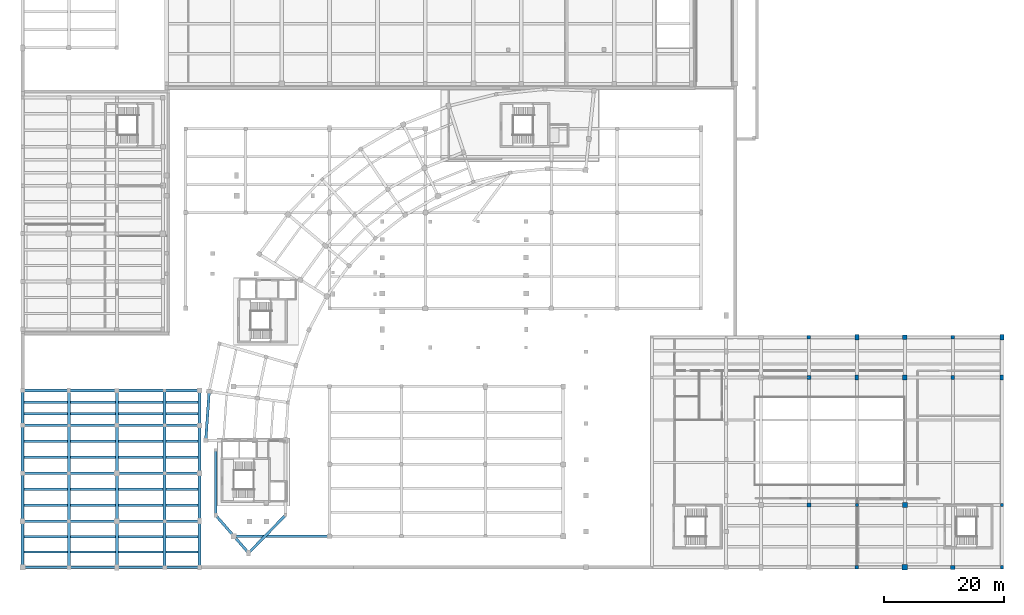
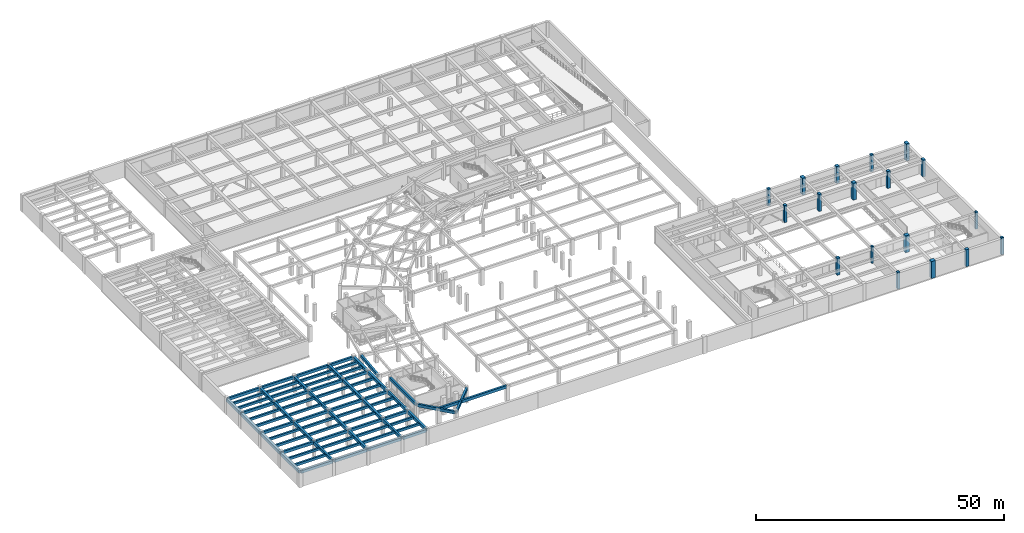
# One storey, part 3 of 35: 77 beams, 18 columns.
"""IFC4 building model written with IfcOpenShell, lengths in metres."""

from ifc_helpers import new_model, si_unit, direction, frame, origin, origin_2d, place, context, subcontext, project, spatial, rectangle, extrude, material, material_profile, profile_set, type_object, element, save


model = new_model("IFC4")

# Units and contexts
model_context = context("Model", 3, precision=1e-05, world=origin(), true_north=direction((0.0, 1.0)))
body_context = subcontext(model_context, "Body", "Model", "MODEL_VIEW")
ifc_project = project(units=[si_unit("LENGTHUNIT", "METRE"), si_unit("AREAUNIT", "SQUARE_METRE"), si_unit("VOLUMEUNIT", "CUBIC_METRE"), si_unit("PLANEANGLEUNIT", "RADIAN"), si_unit("MASSUNIT", "GRAM", prefix="KILO"), si_unit("THERMODYNAMICTEMPERATUREUNIT", "KELVIN"), si_unit("POWERUNIT", "WATT")], contexts=[model_context])

# Site, building, storey
site_placement = place(None, origin())
site = spatial("IfcSite", under=ifc_project, at=site_placement, CompositionType="ELEMENT")
building_placement = place(site_placement, origin())
building = spatial("IfcBuilding", under=site, at=building_placement, Name="Solvatero Civic Police Headquarters", CompositionType="ELEMENT")
storey_placement = place(building_placement, frame((0.0, 0.0, -4.199951171875)))
storey = spatial("IfcBuildingStorey", under=building, at=storey_placement, Name="B01", CompositionType="ELEMENT", Elevation=-4.199951171875)

# Columns
ifc_material = material(Name="Concrete C40/50", Category="concrete")
ifc_material_profile_1 = material_profile(ifc_material, rectangle(XDim=0.5, YDim=0.5, at=origin_2d()), Name="RC 500x500")
ifc_profile_set_1 = profile_set([ifc_material_profile_1], Name="Concrete C40/50")
column_type_1 = type_object("IfcColumnType", Name="COL-RC-500", PredefinedType="COLUMN", material=ifc_profile_set_1)
for number, where, z_axis, x_axis, name in (
    (1, (144.0, 15.199951171875, 0.0), (0.0, 0.0, 1.0), (1.0, 0.0, 0.0), "Column V3-X3Y2 B01"),
    (2, (168.199951171875, 15.199951171875, 0.0), (0.0, 0.0, 1.0), (1.0, 0.0, 0.0), "Column V3-X6Y2 B01"),
):
    element("IfcColumn", number, at=place(storey_placement, frame(where, z_axis=z_axis, x_axis=x_axis)), inside=storey, type_object=column_type_1, Name=name, PredefinedType="COLUMN", context=body_context, shape_type="SweptSolid", body=[
        extrude(rectangle(XDim=0.5, YDim=0.5, at=origin_2d()), origin(), (0.0, 0.0, 1.0), 4.199951171875),
    ])
ifc_material_profile_2 = material_profile(ifc_material, rectangle(XDim=0.550048828125, YDim=0.550048828125, at=origin_2d()), Name="RC 550x550")
ifc_profile_set_2 = profile_set([ifc_material_profile_2], Name="Concrete C40/50")
column_type_2 = type_object("IfcColumnType", Name="COL-RC-550", PredefinedType="COLUMN", material=ifc_profile_set_2)
for number, where, z_axis, x_axis, name in (
    (3, (144.0, 4.800048828125, 0.0), (0.0, 0.0, 1.0), (1.0, 0.0, 0.0), "Column V3-X3Y1 B01"),
    (4, (168.199951171875, 4.800048828125, 0.0), (0.0, 0.0, 1.0), (1.0, 0.0, 0.0), "Column V3-X6Y1 B01"),
):
    element("IfcColumn", number, at=place(storey_placement, frame(where, z_axis=z_axis, x_axis=x_axis)), inside=storey, type_object=column_type_2, Name=name, PredefinedType="COLUMN", context=body_context, shape_type="SweptSolid", body=[
        extrude(rectangle(XDim=0.550048828125, YDim=0.550048828125, at=origin_2d()), origin(), (0.0, 0.0, 1.0), 4.199951171875),
    ])
ifc_material_profile_3 = material_profile(ifc_material, rectangle(XDim=0.60009765625, YDim=0.60009765625, at=origin_2d()), Name="RC 600x600")
ifc_profile_set_3 = profile_set([ifc_material_profile_3], Name="Concrete C40/50")
column_type_3 = type_object("IfcColumnType", Name="COL-RC-600", PredefinedType="COLUMN", material=ifc_profile_set_3)
for number, where, z_axis, x_axis, name in (
    (5, (136.0, 43.199951171875, 0.0), (0.0, 0.0, 1.0), (1.0, 0.0, 0.0), "Column V3-X2Y4 B01"),
    (6, (160.0, 43.199951171875, 0.0), (0.0, 0.0, 1.0), (1.0, 0.0, 0.0), "Column V3-X5Y4 B01"),
):
    element("IfcColumn", number, at=place(storey_placement, frame(where, z_axis=z_axis, x_axis=x_axis)), inside=storey, type_object=column_type_3, Name=name, PredefinedType="COLUMN", context=body_context, shape_type="SweptSolid", body=[
        extrude(rectangle(XDim=0.60009765625, YDim=0.60009765625, at=origin_2d()), origin(), (0.0, 0.0, 1.0), 4.199951171875),
    ])
ifc_material_profile_4 = material_profile(ifc_material, rectangle(XDim=0.60009765625, YDim=0.800048828125, at=origin_2d()), Name="RC 600x800")
ifc_profile_set_4 = profile_set([ifc_material_profile_4], Name="Concrete C40/50")
column_type_4 = type_object("IfcColumnType", Name="COL-RC-600x800", PredefinedType="COLUMN", material=ifc_profile_set_4)
for number, where, z_axis, x_axis, name in (
    (7, (144.0, 36.5, 0.0), (0.0, 0.0, 1.0), (1.0, 0.0, 0.0), "Column V3-X3Y3 B01"),
    (8, (168.199951171875, 36.5, 0.0), (0.0, 0.0, 1.0), (1.0, 0.0, 0.0), "Column V3-X6Y3 B01"),
):
    element("IfcColumn", number, at=place(storey_placement, frame(where, z_axis=z_axis, x_axis=x_axis)), inside=storey, type_object=column_type_4, Name=name, PredefinedType="COLUMN", context=body_context, shape_type="SweptSolid", body=[
        extrude(rectangle(XDim=0.60009765625, YDim=0.800048828125, at=origin_2d()), origin(), (0.0, 0.0, 1.0), 4.199951171875),
    ])
ifc_material_profile_5 = material_profile(ifc_material, rectangle(XDim=0.64990234375, YDim=0.64990234375, at=origin_2d()), Name="RC 650x650")
ifc_profile_set_5 = profile_set([ifc_material_profile_5], Name="Concrete C40/50")
column_type_5 = type_object("IfcColumnType", Name="COL-RC-650", PredefinedType="COLUMN", material=ifc_profile_set_5)
for number, where, z_axis, x_axis, name in (
    (9, (136.0, 36.5, 0.0), (0.0, 0.0, 1.0), (1.0, 0.0, 0.0), "Column V3-X2Y3 B01"),
    (10, (160.0, 36.5, 0.0), (0.0, 0.0, 1.0), (1.0, 0.0, 0.0), "Column V3-X5Y3 B01"),
):
    element("IfcColumn", number, at=place(storey_placement, frame(where, z_axis=z_axis, x_axis=x_axis)), inside=storey, type_object=column_type_5, Name=name, PredefinedType="COLUMN", context=body_context, shape_type="SweptSolid", body=[
        extrude(rectangle(XDim=0.64990234375, YDim=0.64990234375, at=origin_2d()), origin(), (0.0, 0.0, 1.0), 4.199951171875),
    ])
ifc_material_profile_6 = material_profile(ifc_material, rectangle(XDim=0.699951171875, YDim=0.699951171875, at=origin_2d()), Name="RC 700x700")
ifc_profile_set_6 = profile_set([ifc_material_profile_6], Name="Concrete C40/50")
column_type_6 = type_object("IfcColumnType", Name="COL-RC-700", PredefinedType="COLUMN", material=ifc_profile_set_6)
for number, where, z_axis, x_axis, name in (
    (11, (136.0, 15.199951171875, 0.0), (0.0, 0.0, 1.0), (1.0, 0.0, 0.0), "Column V3-X2Y2 B01"),
    (12, (160.0, 4.800048828125, 0.0), (0.0, 0.0, 1.0), (1.0, 0.0, 0.0), "Column V3-X5Y1 B01"),
):
    element("IfcColumn", number, at=place(storey_placement, frame(where, z_axis=z_axis, x_axis=x_axis)), inside=storey, type_object=column_type_6, Name=name, PredefinedType="COLUMN", context=body_context, shape_type="SweptSolid", body=[
        extrude(rectangle(XDim=0.699951171875, YDim=0.699951171875, at=origin_2d()), origin(), (0.0, 0.0, 1.0), 4.199951171875),
    ])
ifc_material_profile_7 = material_profile(ifc_material, rectangle(XDim=0.699951171875, YDim=1.0, at=origin_2d()), Name="RC 700x1000")
ifc_profile_set_7 = profile_set([ifc_material_profile_7], Name="Concrete C40/50")
column_type_7 = type_object("IfcColumnType", Name="COL-RC-700x1000", PredefinedType="COLUMN", material=ifc_profile_set_7)
for number, where, z_axis, x_axis, name in (
    (13, (144.0, 43.199951171875, 0.0), (0.0, 0.0, 1.0), (1.0, 0.0, 0.0), "Column V3-X3Y4 B01"),
    (14, (168.199951171875, 43.199951171875, 0.0), (0.0, 0.0, 1.0), (1.0, 0.0, 0.0), "Column V3-X6Y4 B01"),
):
    element("IfcColumn", number, at=place(storey_placement, frame(where, z_axis=z_axis, x_axis=x_axis)), inside=storey, type_object=column_type_7, Name=name, PredefinedType="COLUMN", context=body_context, shape_type="SweptSolid", body=[
        extrude(rectangle(XDim=0.699951171875, YDim=1.0, at=origin_2d()), origin(), (0.0, 0.0, 1.0), 4.199951171875),
    ])
ifc_material_profile_8 = material_profile(ifc_material, rectangle(XDim=0.75, YDim=0.75, at=origin_2d()), Name="RC 750x750")
ifc_profile_set_8 = profile_set([ifc_material_profile_8], Name="Concrete C40/50")
column_type_8 = type_object("IfcColumnType", Name="COL-RC-750", PredefinedType="COLUMN", material=ifc_profile_set_8)
column_1_placement = place(storey_placement, frame((152.0, 43.199951171875, 0.0), z_axis=(0.0, 0.0, 1.0), x_axis=(1.0, 0.0, 0.0)))
element("IfcColumn", 15, at=column_1_placement, inside=storey, type_object=column_type_8, Name="Column V3-X4Y4 B01", PredefinedType="COLUMN", context=body_context, shape_type="SweptSolid", body=[
    extrude(rectangle(XDim=0.75, YDim=0.75, at=origin_2d()), origin(), (0.0, 0.0, 1.0), 4.199951171875),
])
ifc_material_profile_9 = material_profile(ifc_material, rectangle(XDim=0.800048828125, YDim=0.800048828125, at=origin_2d()), Name="RC 800x800")
ifc_profile_set_9 = profile_set([ifc_material_profile_9], Name="Concrete C40/50")
column_type_9 = type_object("IfcColumnType", Name="COL-RC-800", PredefinedType="COLUMN", material=ifc_profile_set_9)
column_2_placement = place(storey_placement, frame((152.0, 36.5, 0.0), z_axis=(0.0, 0.0, 1.0), x_axis=(1.0, 0.0, 0.0)))
element("IfcColumn", 16, at=column_2_placement, inside=storey, type_object=column_type_9, Name="Column V3-X4Y3 B01", PredefinedType="COLUMN", context=body_context, shape_type="SweptSolid", body=[
    extrude(rectangle(XDim=0.800048828125, YDim=0.800048828125, at=origin_2d()), origin(), (0.0, 0.0, 1.0), 4.199951171875),
])
ifc_material_profile_10 = material_profile(ifc_material, rectangle(XDim=0.85009765625, YDim=0.85009765625, at=origin_2d()), Name="RC 850x850")
ifc_profile_set_10 = profile_set([ifc_material_profile_10], Name="Concrete C40/50")
column_type_10 = type_object("IfcColumnType", Name="COL-RC-850", PredefinedType="COLUMN", material=ifc_profile_set_10)
column_3_placement = place(storey_placement, frame((152.0, 15.199951171875, 0.0), z_axis=(0.0, 0.0, 1.0), x_axis=(1.0, 0.0, 0.0)))
element("IfcColumn", 17, at=column_3_placement, inside=storey, type_object=column_type_10, Name="Column V3-X4Y2 B01", PredefinedType="COLUMN", context=body_context, shape_type="SweptSolid", body=[
    extrude(rectangle(XDim=0.85009765625, YDim=0.85009765625, at=origin_2d()), origin(), (0.0, 0.0, 1.0), 4.199951171875),
])
ifc_material_profile_11 = material_profile(ifc_material, rectangle(XDim=0.89990234375, YDim=0.89990234375, at=origin_2d()), Name="RC 900x900")
ifc_profile_set_11 = profile_set([ifc_material_profile_11], Name="Concrete C40/50")
column_type_11 = type_object("IfcColumnType", Name="COL-RC-900", PredefinedType="COLUMN", material=ifc_profile_set_11)
column_4_placement = place(storey_placement, frame((152.0, 4.800048828125, 0.0), z_axis=(0.0, 0.0, 1.0), x_axis=(1.0, 0.0, 0.0)))
element("IfcColumn", 18, at=column_4_placement, inside=storey, type_object=column_type_11, Name="Column V3-X4Y1 B01", PredefinedType="COLUMN", context=body_context, shape_type="SweptSolid", body=[
    extrude(rectangle(XDim=0.89990234375, YDim=0.89990234375, at=origin_2d()), origin(), (0.0, 0.0, 1.0), 4.199951171875),
])

# Beams
ifc_material_profile_12 = material_profile(ifc_material, rectangle(XDim=0.39990234375, YDim=0.60009765625, at=origin_2d()), Name="RC 400x600")
ifc_profile_set_12 = profile_set([ifc_material_profile_12], Name="Concrete C40/50")
beam_type_1 = type_object("IfcBeamType", Name="BM-RC-400x600", PredefinedType="BEAM", material=ifc_profile_set_12)
for number, where, z_axis, x_axis, name in (
    (19, (5.050048828125, 7.36669921875, 3.599853515625), (1.0, 0.0, 0.0), (0.0, 1.0, 0.0), "Primary girder BM-R2-B01-V4B-SEC-1-1-S1"),
    (20, (5.050048828125, 9.933349609375, 3.599853515625), (1.0, 0.0, 0.0), (0.0, 1.0, 0.0), "Primary girder BM-R2-B01-V4B-SEC-1-1-S2"),
    (21, (5.050048828125, 15.166748046875, 3.599853515625), (1.0, 0.0, 0.0), (0.0, 1.0, 0.0), "Primary girder BM-R2-B01-V4B-SEC-1-2-S1"),
    (22, (5.050048828125, 17.833251953125, 3.599853515625), (1.0, 0.0, 0.0), (0.0, 1.0, 0.0), "Primary girder BM-R2-B01-V4B-SEC-1-2-S2"),
    (23, (5.050048828125, 23.166748046875, 3.599853515625), (1.0, 0.0, 0.0), (0.0, 1.0, 0.0), "Primary girder BM-R2-B01-V4B-SEC-1-3-S1"),
    (24, (5.050048828125, 25.833251953125, 3.599853515625), (1.0, 0.0, 0.0), (0.0, 1.0, 0.0), "Primary girder BM-R2-B01-V4B-SEC-1-3-S2"),
    (25, (5.050048828125, 30.433349609375, 3.599853515625), (1.0, 0.0, 0.0), (0.0, 1.0, 0.0), "Primary girder BM-R2-B01-V4B-SEC-1-4-S1"),
    (26, (5.050048828125, 32.36669921875, 3.599853515625), (1.0, 0.0, 0.0), (0.0, 1.0, 0.0), "Primary girder BM-R2-B01-V4B-SEC-1-4-S2"),
):
    element("IfcBeam", number, at=place(storey_placement, frame(where, z_axis=z_axis, x_axis=x_axis)), inside=storey, type_object=beam_type_1, Name=name, PredefinedType="BEAM", context=body_context, shape_type="SweptSolid", body=[
        extrude(rectangle(XDim=0.39990234375, YDim=0.60009765625, at=origin_2d()), origin(), (0.0, 0.0, 1.0), 7.199951171875),
    ])
for number, where, z_axis, x_axis, name in (
    (27, (12.75, 7.36669921875, 3.599853515625), (1.0, 0.0, 0.0), (0.0, 1.0, 0.0), "Primary girder BM-R2-B01-V4B-SEC-2-1-S1"),
    (28, (12.75, 9.933349609375, 3.599853515625), (1.0, 0.0, 0.0), (0.0, 1.0, 0.0), "Primary girder BM-R2-B01-V4B-SEC-2-1-S2"),
    (29, (12.75, 15.166748046875, 3.599853515625), (1.0, 0.0, 0.0), (0.0, 1.0, 0.0), "Primary girder BM-R2-B01-V4B-SEC-2-2-S1"),
    (30, (12.75, 17.833251953125, 3.599853515625), (1.0, 0.0, 0.0), (0.0, 1.0, 0.0), "Primary girder BM-R2-B01-V4B-SEC-2-2-S2"),
    (31, (12.75, 23.166748046875, 3.599853515625), (1.0, 0.0, 0.0), (0.0, 1.0, 0.0), "Primary girder BM-R2-B01-V4B-SEC-2-3-S1"),
    (32, (12.75, 25.833251953125, 3.599853515625), (1.0, 0.0, 0.0), (0.0, 1.0, 0.0), "Primary girder BM-R2-B01-V4B-SEC-2-3-S2"),
    (33, (12.75, 30.433349609375, 3.599853515625), (1.0, 0.0, 0.0), (0.0, 1.0, 0.0), "Primary girder BM-R2-B01-V4B-SEC-2-4-S1"),
    (34, (12.75, 32.36669921875, 3.599853515625), (1.0, 0.0, 0.0), (0.0, 1.0, 0.0), "Primary girder BM-R2-B01-V4B-SEC-2-4-S2"),
    (35, (20.75, 7.36669921875, 3.599853515625), (1.0, 0.0, 0.0), (0.0, 1.0, 0.0), "Primary girder BM-R2-B01-V4B-SEC-3-1-S1"),
    (36, (20.75, 9.933349609375, 3.599853515625), (1.0, 0.0, 0.0), (0.0, 1.0, 0.0), "Primary girder BM-R2-B01-V4B-SEC-3-1-S2"),
    (37, (20.75, 15.166748046875, 3.599853515625), (1.0, 0.0, 0.0), (0.0, 1.0, 0.0), "Primary girder BM-R2-B01-V4B-SEC-3-2-S1"),
    (38, (20.75, 17.833251953125, 3.599853515625), (1.0, 0.0, 0.0), (0.0, 1.0, 0.0), "Primary girder BM-R2-B01-V4B-SEC-3-2-S2"),
    (39, (20.75, 23.166748046875, 3.599853515625), (1.0, 0.0, 0.0), (0.0, 1.0, 0.0), "Primary girder BM-R2-B01-V4B-SEC-3-3-S1"),
    (40, (20.75, 25.833251953125, 3.599853515625), (1.0, 0.0, 0.0), (0.0, 1.0, 0.0), "Primary girder BM-R2-B01-V4B-SEC-3-3-S2"),
    (41, (20.75, 30.433349609375, 3.599853515625), (1.0, 0.0, 0.0), (0.0, 1.0, 0.0), "Primary girder BM-R2-B01-V4B-SEC-3-4-S1"),
    (42, (20.75, 32.36669921875, 3.599853515625), (1.0, 0.0, 0.0), (0.0, 1.0, 0.0), "Primary girder BM-R2-B01-V4B-SEC-3-4-S2"),
):
    element("IfcBeam", number, at=place(storey_placement, frame(where, z_axis=z_axis, x_axis=x_axis)), inside=storey, type_object=beam_type_1, Name=name, PredefinedType="BEAM", context=body_context, shape_type="SweptSolid", body=[
        extrude(rectangle(XDim=0.39990234375, YDim=0.60009765625, at=origin_2d()), origin(), (0.0, 0.0, 1.0), 7.5),
    ])
for number, where, z_axis, x_axis, name in (
    (43, (28.75, 7.36669921875, 3.599853515625), (1.0, 0.0, 0.0), (0.0, 1.0, 0.0), "Primary girder BM-R2-B01-V4B-SEC-4-1-S1"),
    (44, (28.75, 9.933349609375, 3.599853515625), (1.0, 0.0, 0.0), (0.0, 1.0, 0.0), "Primary girder BM-R2-B01-V4B-SEC-4-1-S2"),
    (45, (28.75, 15.166748046875, 3.599853515625), (1.0, 0.0, 0.0), (0.0, 1.0, 0.0), "Primary girder BM-R2-B01-V4B-SEC-4-2-S1"),
    (46, (28.75, 17.833251953125, 3.599853515625), (1.0, 0.0, 0.0), (0.0, 1.0, 0.0), "Primary girder BM-R2-B01-V4B-SEC-4-2-S2"),
    (47, (28.75, 23.166748046875, 3.599853515625), (1.0, 0.0, 0.0), (0.0, 1.0, 0.0), "Primary girder BM-R2-B01-V4B-SEC-4-3-S1"),
    (48, (28.75, 25.833251953125, 3.599853515625), (1.0, 0.0, 0.0), (0.0, 1.0, 0.0), "Primary girder BM-R2-B01-V4B-SEC-4-3-S2"),
    (49, (28.75, 30.433349609375, 3.599853515625), (1.0, 0.0, 0.0), (0.0, 1.0, 0.0), "Primary girder BM-R2-B01-V4B-SEC-4-4-S1"),
    (50, (28.75, 32.36669921875, 3.599853515625), (1.0, 0.0, 0.0), (0.0, 1.0, 0.0), "Primary girder BM-R2-B01-V4B-SEC-4-4-S2"),
):
    element("IfcBeam", number, at=place(storey_placement, frame(where, z_axis=z_axis, x_axis=x_axis)), inside=storey, type_object=beam_type_1, Name=name, PredefinedType="BEAM", context=body_context, shape_type="SweptSolid", body=[
        extrude(rectangle(XDim=0.39990234375, YDim=0.60009765625, at=origin_2d()), origin(), (0.0, 0.0, 1.0), 5.300048828125),
    ])
ifc_material_profile_13 = material_profile(ifc_material, rectangle(XDim=0.449951171875, YDim=0.699951171875, at=origin_2d()), Name="RC 450x700")
ifc_profile_set_13 = profile_set([ifc_material_profile_13], Name="Concrete C40/50")
beam_type_2 = type_object("IfcBeamType", Name="BM-RC-450x700", PredefinedType="BEAM", material=ifc_profile_set_13)
beam_1_placement = place(storey_placement, frame((4.9599609375, 4.800048828125, 3.550048828125), z_axis=(1.0, 0.0, 0.0), x_axis=(0.0, 1.0, 0.0)))
element("IfcBeam", 51, at=beam_1_placement, inside=storey, type_object=beam_type_2, Name="Primary girder BM-R2-B01-V4B-GX-1-1", PredefinedType="BEAM", context=body_context, shape_type="SweptSolid", body=[
    extrude(rectangle(XDim=0.449951171875, YDim=0.699951171875, at=origin_2d()), origin(), (0.0, 0.0, 1.0), 7.380126953125),
])
for number, where, z_axis, x_axis, name in (
    (52, (12.659912109375, 4.800048828125, 3.550048828125), (1.0, 0.0, 0.0), (0.0, 1.0, 0.0), "Primary girder BM-R2-B01-V4B-GX-2-1"),
    (53, (20.659912109375, 4.800048828125, 3.550048828125), (1.0, 0.0, 0.0), (0.0, 1.0, 0.0), "Primary girder BM-R2-B01-V4B-GX-3-1"),
):
    element("IfcBeam", number, at=place(storey_placement, frame(where, z_axis=z_axis, x_axis=x_axis)), inside=storey, type_object=beam_type_2, Name=name, PredefinedType="BEAM", context=body_context, shape_type="SweptSolid", body=[
        extrude(rectangle(XDim=0.449951171875, YDim=0.699951171875, at=origin_2d()), origin(), (0.0, 0.0, 1.0), 7.68017578125),
    ])
beam_2_placement = place(storey_placement, frame((28.659912109375, 4.800048828125, 3.550048828125), z_axis=(1.0, 0.0, 0.0), x_axis=(0.0, 1.0, 0.0)))
element("IfcBeam", 54, at=beam_2_placement, inside=storey, type_object=beam_type_2, Name="Primary girder BM-R2-B01-V4B-GX-4-1", PredefinedType="BEAM", context=body_context, shape_type="SweptSolid", body=[
    extrude(rectangle(XDim=0.449951171875, YDim=0.699951171875, at=origin_2d()), origin(), (0.0, 0.0, 1.0), 5.47998046875),
])
beam_3_placement = place(storey_placement, frame((4.9599609375, 12.5, 3.550048828125), z_axis=(1.0, 0.0, 0.0), x_axis=(0.0, 1.0, 0.0)))
element("IfcBeam", 55, at=beam_3_placement, inside=storey, type_object=beam_type_2, Name="Primary girder BM-R2-B01-V4B-GX-1-2", PredefinedType="BEAM", context=body_context, shape_type="SweptSolid", body=[
    extrude(rectangle(XDim=0.449951171875, YDim=0.699951171875, at=origin_2d()), origin(), (0.0, 0.0, 1.0), 7.380126953125),
])
for number, where, z_axis, x_axis, name in (
    (56, (12.659912109375, 12.5, 3.550048828125), (1.0, 0.0, 0.0), (0.0, 1.0, 0.0), "Primary girder BM-R2-B01-V4B-GX-2-2"),
    (57, (20.659912109375, 12.5, 3.550048828125), (1.0, 0.0, 0.0), (0.0, 1.0, 0.0), "Primary girder BM-R2-B01-V4B-GX-3-2"),
):
    element("IfcBeam", number, at=place(storey_placement, frame(where, z_axis=z_axis, x_axis=x_axis)), inside=storey, type_object=beam_type_2, Name=name, PredefinedType="BEAM", context=body_context, shape_type="SweptSolid", body=[
        extrude(rectangle(XDim=0.449951171875, YDim=0.699951171875, at=origin_2d()), origin(), (0.0, 0.0, 1.0), 7.68017578125),
    ])
beam_4_placement = place(storey_placement, frame((28.659912109375, 12.5, 3.550048828125), z_axis=(1.0, 0.0, 0.0), x_axis=(0.0, 1.0, 0.0)))
element("IfcBeam", 58, at=beam_4_placement, inside=storey, type_object=beam_type_2, Name="Primary girder BM-R2-B01-V4B-GX-4-2", PredefinedType="BEAM", context=body_context, shape_type="SweptSolid", body=[
    extrude(rectangle(XDim=0.449951171875, YDim=0.699951171875, at=origin_2d()), origin(), (0.0, 0.0, 1.0), 5.47998046875),
])
beam_5_placement = place(storey_placement, frame((4.9599609375, 20.5, 3.550048828125), z_axis=(1.0, 0.0, 0.0), x_axis=(0.0, 1.0, 0.0)))
element("IfcBeam", 59, at=beam_5_placement, inside=storey, type_object=beam_type_2, Name="Primary girder BM-R2-B01-V4B-GX-1-3", PredefinedType="BEAM", context=body_context, shape_type="SweptSolid", body=[
    extrude(rectangle(XDim=0.449951171875, YDim=0.699951171875, at=origin_2d()), origin(), (0.0, 0.0, 1.0), 7.380126953125),
])
for number, where, z_axis, x_axis, name in (
    (60, (12.659912109375, 20.5, 3.550048828125), (1.0, 0.0, 0.0), (0.0, 1.0, 0.0), "Primary girder BM-R2-B01-V4B-GX-2-3"),
    (61, (20.659912109375, 20.5, 3.550048828125), (1.0, 0.0, 0.0), (0.0, 1.0, 0.0), "Primary girder BM-R2-B01-V4B-GX-3-3"),
):
    element("IfcBeam", number, at=place(storey_placement, frame(where, z_axis=z_axis, x_axis=x_axis)), inside=storey, type_object=beam_type_2, Name=name, PredefinedType="BEAM", context=body_context, shape_type="SweptSolid", body=[
        extrude(rectangle(XDim=0.449951171875, YDim=0.699951171875, at=origin_2d()), origin(), (0.0, 0.0, 1.0), 7.68017578125),
    ])
beam_6_placement = place(storey_placement, frame((28.659912109375, 20.5, 3.550048828125), z_axis=(1.0, 0.0, 0.0), x_axis=(0.0, 1.0, 0.0)))
element("IfcBeam", 62, at=beam_6_placement, inside=storey, type_object=beam_type_2, Name="Primary girder BM-R2-B01-V4B-GX-4-3", PredefinedType="BEAM", context=body_context, shape_type="SweptSolid", body=[
    extrude(rectangle(XDim=0.449951171875, YDim=0.699951171875, at=origin_2d()), origin(), (0.0, 0.0, 1.0), 5.47998046875),
])
beam_7_placement = place(storey_placement, frame((4.9599609375, 28.5, 3.550048828125), z_axis=(1.0, 0.0, 0.0), x_axis=(0.0, 1.0, 0.0)))
element("IfcBeam", 63, at=beam_7_placement, inside=storey, type_object=beam_type_2, Name="Primary girder BM-R2-B01-V4B-GX-1-4", PredefinedType="BEAM", context=body_context, shape_type="SweptSolid", body=[
    extrude(rectangle(XDim=0.449951171875, YDim=0.699951171875, at=origin_2d()), origin(), (0.0, 0.0, 1.0), 7.380126953125),
])
for number, where, z_axis, x_axis, name in (
    (64, (12.659912109375, 28.5, 3.550048828125), (1.0, 0.0, 0.0), (0.0, 1.0, 0.0), "Primary girder BM-R2-B01-V4B-GX-2-4"),
    (65, (20.659912109375, 28.5, 3.550048828125), (1.0, 0.0, 0.0), (0.0, 1.0, 0.0), "Primary girder BM-R2-B01-V4B-GX-3-4"),
):
    element("IfcBeam", number, at=place(storey_placement, frame(where, z_axis=z_axis, x_axis=x_axis)), inside=storey, type_object=beam_type_2, Name=name, PredefinedType="BEAM", context=body_context, shape_type="SweptSolid", body=[
        extrude(rectangle(XDim=0.449951171875, YDim=0.699951171875, at=origin_2d()), origin(), (0.0, 0.0, 1.0), 7.68017578125),
    ])
beam_8_placement = place(storey_placement, frame((28.659912109375, 28.5, 3.550048828125), z_axis=(1.0, 0.0, 0.0), x_axis=(0.0, 1.0, 0.0)))
element("IfcBeam", 66, at=beam_8_placement, inside=storey, type_object=beam_type_2, Name="Primary girder BM-R2-B01-V4B-GX-4-4", PredefinedType="BEAM", context=body_context, shape_type="SweptSolid", body=[
    extrude(rectangle(XDim=0.449951171875, YDim=0.699951171875, at=origin_2d()), origin(), (0.0, 0.0, 1.0), 5.47998046875),
])
beam_9_placement = place(storey_placement, frame((4.9599609375, 34.300048828125, 3.550048828125), z_axis=(1.0, 0.0, 0.0), x_axis=(0.0, 1.0, 0.0)))
element("IfcBeam", 67, at=beam_9_placement, inside=storey, type_object=beam_type_2, Name="Primary girder BM-R2-B01-V4B-GX-1-5", PredefinedType="BEAM", context=body_context, shape_type="SweptSolid", body=[
    extrude(rectangle(XDim=0.449951171875, YDim=0.699951171875, at=origin_2d()), origin(), (0.0, 0.0, 1.0), 7.380126953125),
])
for number, where, z_axis, x_axis, name in (
    (68, (12.659912109375, 34.300048828125, 3.550048828125), (1.0, 0.0, 0.0), (0.0, 1.0, 0.0), "Primary girder BM-R2-B01-V4B-GX-2-5"),
    (69, (20.659912109375, 34.300048828125, 3.550048828125), (1.0, 0.0, 0.0), (0.0, 1.0, 0.0), "Primary girder BM-R2-B01-V4B-GX-3-5"),
):
    element("IfcBeam", number, at=place(storey_placement, frame(where, z_axis=z_axis, x_axis=x_axis)), inside=storey, type_object=beam_type_2, Name=name, PredefinedType="BEAM", context=body_context, shape_type="SweptSolid", body=[
        extrude(rectangle(XDim=0.449951171875, YDim=0.699951171875, at=origin_2d()), origin(), (0.0, 0.0, 1.0), 7.68017578125),
    ])
beam_10_placement = place(storey_placement, frame((28.659912109375, 34.300048828125, 3.550048828125), z_axis=(1.0, 0.0, 0.0), x_axis=(0.0, 1.0, 0.0)))
element("IfcBeam", 70, at=beam_10_placement, inside=storey, type_object=beam_type_2, Name="Primary girder BM-R2-B01-V4B-GX-4-5", PredefinedType="BEAM", context=body_context, shape_type="SweptSolid", body=[
    extrude(rectangle(XDim=0.449951171875, YDim=0.699951171875, at=origin_2d()), origin(), (0.0, 0.0, 1.0), 5.47998046875),
])
beam_11_placement = place(storey_placement, frame((40.159912109375, 10.0, 3.58984375), z_axis=(1.0, 0.0, 0.0), x_axis=(0.0, 1.0, 0.0)))
element("IfcBeam", 71, at=beam_11_placement, inside=storey, type_object=beam_type_2, Name="Primary girder BM-R2-B01-SUBS-GX-1-1", PredefinedType="BEAM", context=body_context, shape_type="SweptSolid", body=[
    extrude(rectangle(XDim=0.449951171875, YDim=0.699951171875, at=origin_2d()), origin(), (0.0, 0.0, 1.0), 15.68017578125),
])
beam_12_placement = place(storey_placement, frame((35.90966796875, 34.0029296875, 3.550048828125), z_axis=(-0.06977288929, -0.997562902237, 0.0), x_axis=(0.997562902237, -0.06977288929, 0.0)))
element("IfcBeam", 72, at=beam_12_placement, inside=storey, type_object=beam_type_2, Name="Primary girder BM-R2-B01-ARC-COUT-B12", PredefinedType="BEAM", context=body_context, shape_type="SweptSolid", body=[
    extrude(rectangle(XDim=0.449951171875, YDim=0.699951171875, at=origin_2d()), origin(), (0.0, 0.0, 1.0), 7.8623046875),
])
beam_13_placement = place(storey_placement, frame((37.0, 24.239990234375, 3.550048828125), z_axis=(0.0, -1.0, 0.0), x_axis=(1.0, 0.0, 0.0)))
element("IfcBeam", 73, at=beam_13_placement, inside=storey, type_object=beam_type_2, Name="Primary girder BM-R2-B01-PROW-W", PredefinedType="BEAM", context=body_context, shape_type="SweptSolid", body=[
    extrude(rectangle(XDim=0.449951171875, YDim=0.699951171875, at=origin_2d()), origin(), (0.0, 0.0, 1.0), 10.580078125),
])
beam_14_placement = place(storey_placement, frame((37.105224609375, 13.37939453125, 3.550048828125), z_axis=(0.657663937616, -0.753311452959, 0.0), x_axis=(0.753311452959, 0.657663937616, 0.0)))
element("IfcBeam", 74, at=beam_14_placement, inside=storey, type_object=beam_type_2, Name="Primary girder BM-R2-B01-PROW-SW", PredefinedType="BEAM", context=body_context, shape_type="SweptSolid", body=[
    extrude(rectangle(XDim=0.449951171875, YDim=0.699951171875, at=origin_2d()), origin(), (0.0, 0.0, 1.0), 8.04296875),
])
beam_15_placement = place(storey_placement, frame((42.61181640625, 7.314453125, 3.550048828125), z_axis=(0.698523042205, 0.715587562433, 0.0), x_axis=(-0.715587562433, 0.698523042205, 0.0)))
element("IfcBeam", 75, at=beam_15_placement, inside=storey, type_object=beam_type_2, Name="Primary girder BM-R2-B01-PROW-SE", PredefinedType="BEAM", context=body_context, shape_type="SweptSolid", body=[
    extrude(rectangle(XDim=0.449951171875, YDim=0.699951171875, at=origin_2d()), origin(), (0.0, 0.0, 1.0), 8.48388671875),
])
ifc_material_profile_14 = material_profile(ifc_material, rectangle(XDim=0.5, YDim=0.75, at=origin_2d()), Name="RC 500x750")
ifc_profile_set_14 = profile_set([ifc_material_profile_14], Name="Concrete C40/50")
beam_type_3 = type_object("IfcBeamType", Name="BM-RC-500x750", PredefinedType="BEAM", material=ifc_profile_set_14)
beam_16_placement = place(storey_placement, frame((4.800048828125, 4.9599609375, 3.52490234375), z_axis=(0.0, 1.0, 0.0), x_axis=(-1.0, 0.0, 0.0)))
element("IfcBeam", 76, at=beam_16_placement, inside=storey, type_object=beam_type_3, Name="Primary girder BM-R2-B01-V4B-GY-1-1", PredefinedType="BEAM", context=body_context, shape_type="SweptSolid", body=[
    extrude(rectangle(XDim=0.5, YDim=0.75, at=origin_2d()), origin(), (0.0, 0.0, 1.0), 7.380126953125),
])
for number, where, z_axis, x_axis, name in (
    (77, (4.800048828125, 12.659912109375, 3.52490234375), (0.0, 1.0, 0.0), (-1.0, 0.0, 0.0), "Primary girder BM-R2-B01-V4B-GY-1-2"),
    (78, (4.800048828125, 20.659912109375, 3.52490234375), (0.0, 1.0, 0.0), (-1.0, 0.0, 0.0), "Primary girder BM-R2-B01-V4B-GY-1-3"),
):
    element("IfcBeam", number, at=place(storey_placement, frame(where, z_axis=z_axis, x_axis=x_axis)), inside=storey, type_object=beam_type_3, Name=name, PredefinedType="BEAM", context=body_context, shape_type="SweptSolid", body=[
        extrude(rectangle(XDim=0.5, YDim=0.75, at=origin_2d()), origin(), (0.0, 0.0, 1.0), 7.68017578125),
    ])
beam_17_placement = place(storey_placement, frame((4.800048828125, 28.659912109375, 3.52490234375), z_axis=(0.0, 1.0, 0.0), x_axis=(-1.0, 0.0, 0.0)))
element("IfcBeam", 79, at=beam_17_placement, inside=storey, type_object=beam_type_3, Name="Primary girder BM-R2-B01-V4B-GY-1-4", PredefinedType="BEAM", context=body_context, shape_type="SweptSolid", body=[
    extrude(rectangle(XDim=0.5, YDim=0.75, at=origin_2d()), origin(), (0.0, 0.0, 1.0), 5.47998046875),
])
beam_18_placement = place(storey_placement, frame((12.5, 4.9599609375, 3.52490234375), z_axis=(0.0, 1.0, 0.0), x_axis=(-1.0, 0.0, 0.0)))
element("IfcBeam", 80, at=beam_18_placement, inside=storey, type_object=beam_type_3, Name="Primary girder BM-R2-B01-V4B-GY-2-1", PredefinedType="BEAM", context=body_context, shape_type="SweptSolid", body=[
    extrude(rectangle(XDim=0.5, YDim=0.75, at=origin_2d()), origin(), (0.0, 0.0, 1.0), 7.380126953125),
])
for number, where, z_axis, x_axis, name in (
    (81, (12.5, 12.659912109375, 3.52490234375), (0.0, 1.0, 0.0), (-1.0, 0.0, 0.0), "Primary girder BM-R2-B01-V4B-GY-2-2"),
    (82, (12.5, 20.659912109375, 3.52490234375), (0.0, 1.0, 0.0), (-1.0, 0.0, 0.0), "Primary girder BM-R2-B01-V4B-GY-2-3"),
):
    element("IfcBeam", number, at=place(storey_placement, frame(where, z_axis=z_axis, x_axis=x_axis)), inside=storey, type_object=beam_type_3, Name=name, PredefinedType="BEAM", context=body_context, shape_type="SweptSolid", body=[
        extrude(rectangle(XDim=0.5, YDim=0.75, at=origin_2d()), origin(), (0.0, 0.0, 1.0), 7.68017578125),
    ])
beam_19_placement = place(storey_placement, frame((12.5, 28.659912109375, 3.52490234375), z_axis=(0.0, 1.0, 0.0), x_axis=(-1.0, 0.0, 0.0)))
element("IfcBeam", 83, at=beam_19_placement, inside=storey, type_object=beam_type_3, Name="Primary girder BM-R2-B01-V4B-GY-2-4", PredefinedType="BEAM", context=body_context, shape_type="SweptSolid", body=[
    extrude(rectangle(XDim=0.5, YDim=0.75, at=origin_2d()), origin(), (0.0, 0.0, 1.0), 5.47998046875),
])
beam_20_placement = place(storey_placement, frame((20.5, 4.9599609375, 3.52490234375), z_axis=(0.0, 1.0, 0.0), x_axis=(-1.0, 0.0, 0.0)))
element("IfcBeam", 84, at=beam_20_placement, inside=storey, type_object=beam_type_3, Name="Primary girder BM-R2-B01-V4B-GY-3-1", PredefinedType="BEAM", context=body_context, shape_type="SweptSolid", body=[
    extrude(rectangle(XDim=0.5, YDim=0.75, at=origin_2d()), origin(), (0.0, 0.0, 1.0), 7.380126953125),
])
for number, where, z_axis, x_axis, name in (
    (85, (20.5, 12.659912109375, 3.52490234375), (0.0, 1.0, 0.0), (-1.0, 0.0, 0.0), "Primary girder BM-R2-B01-V4B-GY-3-2"),
    (86, (20.5, 20.659912109375, 3.52490234375), (0.0, 1.0, 0.0), (-1.0, 0.0, 0.0), "Primary girder BM-R2-B01-V4B-GY-3-3"),
):
    element("IfcBeam", number, at=place(storey_placement, frame(where, z_axis=z_axis, x_axis=x_axis)), inside=storey, type_object=beam_type_3, Name=name, PredefinedType="BEAM", context=body_context, shape_type="SweptSolid", body=[
        extrude(rectangle(XDim=0.5, YDim=0.75, at=origin_2d()), origin(), (0.0, 0.0, 1.0), 7.68017578125),
    ])
beam_21_placement = place(storey_placement, frame((20.5, 28.659912109375, 3.52490234375), z_axis=(0.0, 1.0, 0.0), x_axis=(-1.0, 0.0, 0.0)))
element("IfcBeam", 87, at=beam_21_placement, inside=storey, type_object=beam_type_3, Name="Primary girder BM-R2-B01-V4B-GY-3-4", PredefinedType="BEAM", context=body_context, shape_type="SweptSolid", body=[
    extrude(rectangle(XDim=0.5, YDim=0.75, at=origin_2d()), origin(), (0.0, 0.0, 1.0), 5.47998046875),
])
beam_22_placement = place(storey_placement, frame((28.5, 4.9599609375, 3.52490234375), z_axis=(0.0, 1.0, 0.0), x_axis=(-1.0, 0.0, 0.0)))
element("IfcBeam", 88, at=beam_22_placement, inside=storey, type_object=beam_type_3, Name="Primary girder BM-R2-B01-V4B-GY-4-1", PredefinedType="BEAM", context=body_context, shape_type="SweptSolid", body=[
    extrude(rectangle(XDim=0.5, YDim=0.75, at=origin_2d()), origin(), (0.0, 0.0, 1.0), 7.380126953125),
])
for number, where, z_axis, x_axis, name in (
    (89, (28.5, 12.659912109375, 3.52490234375), (0.0, 1.0, 0.0), (-1.0, 0.0, 0.0), "Primary girder BM-R2-B01-V4B-GY-4-2"),
    (90, (28.5, 20.659912109375, 3.52490234375), (0.0, 1.0, 0.0), (-1.0, 0.0, 0.0), "Primary girder BM-R2-B01-V4B-GY-4-3"),
):
    element("IfcBeam", number, at=place(storey_placement, frame(where, z_axis=z_axis, x_axis=x_axis)), inside=storey, type_object=beam_type_3, Name=name, PredefinedType="BEAM", context=body_context, shape_type="SweptSolid", body=[
        extrude(rectangle(XDim=0.5, YDim=0.75, at=origin_2d()), origin(), (0.0, 0.0, 1.0), 7.68017578125),
    ])
beam_23_placement = place(storey_placement, frame((28.5, 28.659912109375, 3.52490234375), z_axis=(0.0, 1.0, 0.0), x_axis=(-1.0, 0.0, 0.0)))
element("IfcBeam", 91, at=beam_23_placement, inside=storey, type_object=beam_type_3, Name="Primary girder BM-R2-B01-V4B-GY-4-4", PredefinedType="BEAM", context=body_context, shape_type="SweptSolid", body=[
    extrude(rectangle(XDim=0.5, YDim=0.75, at=origin_2d()), origin(), (0.0, 0.0, 1.0), 5.47998046875),
])
beam_24_placement = place(storey_placement, frame((34.300048828125, 4.9599609375, 3.52490234375), z_axis=(0.0, 1.0, 0.0), x_axis=(-1.0, 0.0, 0.0)))
element("IfcBeam", 92, at=beam_24_placement, inside=storey, type_object=beam_type_3, Name="Primary girder BM-R2-B01-V4B-GY-5-1", PredefinedType="BEAM", context=body_context, shape_type="SweptSolid", body=[
    extrude(rectangle(XDim=0.5, YDim=0.75, at=origin_2d()), origin(), (0.0, 0.0, 1.0), 7.380126953125),
])
for number, where, z_axis, x_axis, name in (
    (93, (34.300048828125, 12.659912109375, 3.52490234375), (0.0, 1.0, 0.0), (-1.0, 0.0, 0.0), "Primary girder BM-R2-B01-V4B-GY-5-2"),
    (94, (34.300048828125, 20.659912109375, 3.52490234375), (0.0, 1.0, 0.0), (-1.0, 0.0, 0.0), "Primary girder BM-R2-B01-V4B-GY-5-3"),
):
    element("IfcBeam", number, at=place(storey_placement, frame(where, z_axis=z_axis, x_axis=x_axis)), inside=storey, type_object=beam_type_3, Name=name, PredefinedType="BEAM", context=body_context, shape_type="SweptSolid", body=[
        extrude(rectangle(XDim=0.5, YDim=0.75, at=origin_2d()), origin(), (0.0, 0.0, 1.0), 7.68017578125),
    ])
beam_25_placement = place(storey_placement, frame((34.300048828125, 28.659912109375, 3.52490234375), z_axis=(0.0, 1.0, 0.0), x_axis=(-1.0, 0.0, 0.0)))
element("IfcBeam", 95, at=beam_25_placement, inside=storey, type_object=beam_type_3, Name="Primary girder BM-R2-B01-V4B-GY-5-4", PredefinedType="BEAM", context=body_context, shape_type="SweptSolid", body=[
    extrude(rectangle(XDim=0.5, YDim=0.75, at=origin_2d()), origin(), (0.0, 0.0, 1.0), 5.47998046875),
])

save(model, "model.ifc")
